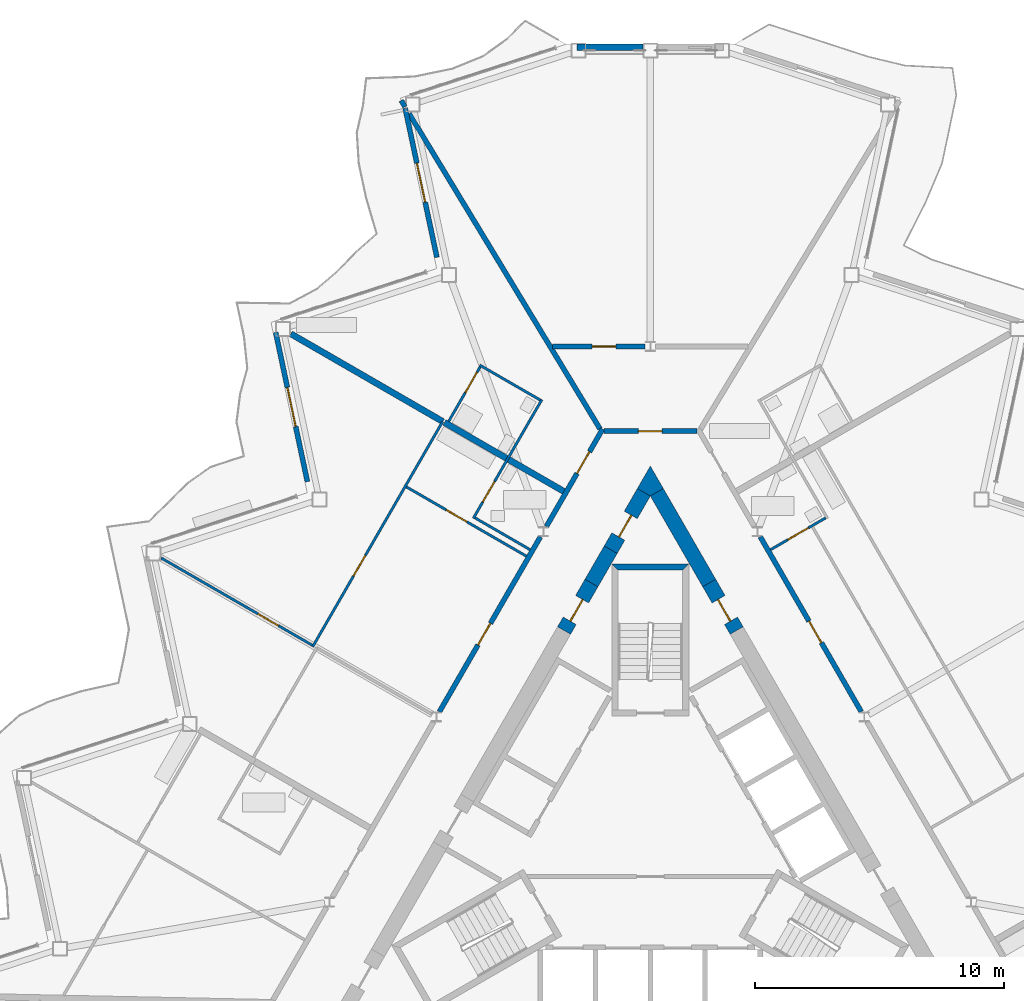
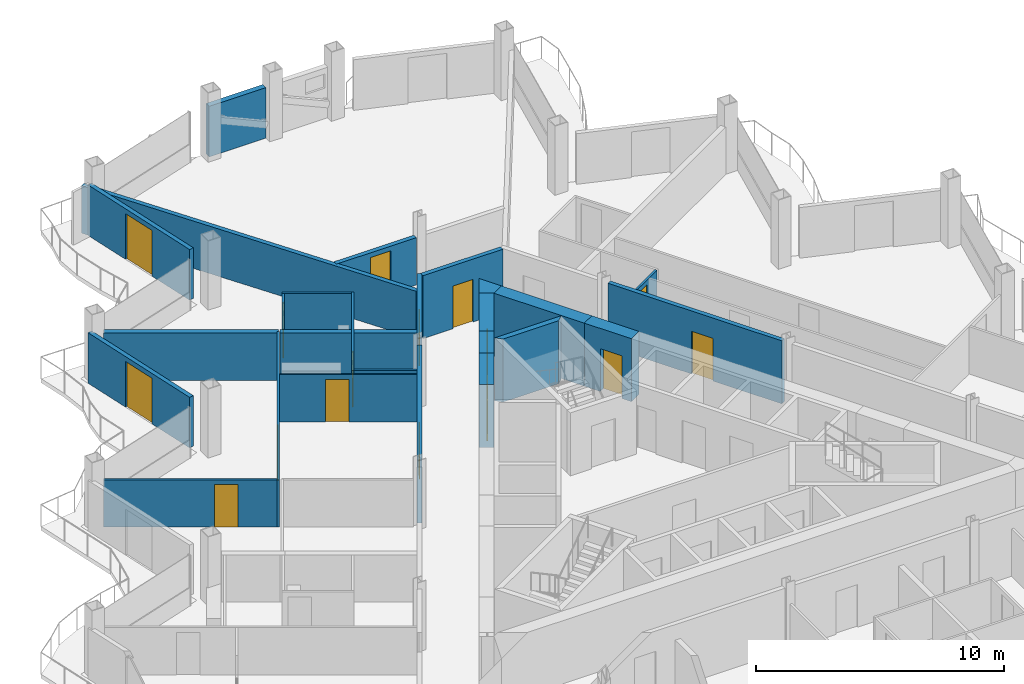
# One storey, part 18 of 27: 27 walls, 16 doors, 16 openings.
"""IFC4 building model written with IfcOpenShell, lengths in metres."""

from ifc_helpers import new_model, si_unit, direction, frame, frame_2d, origin, place, context, subcontext, project, spatial, polyline, rectangle, outline, extrude, material, layer, layer_set, type_object, element, fill, save


model = new_model("IFC4")

# Units and contexts
model_context = context("Model", 3, precision=1e-05, world=origin(), true_north=direction((0.0, 1.0)))
body_context = subcontext(model_context, "Body", "Model", "MODEL_VIEW")
ifc_project = project(units=[si_unit("LENGTHUNIT", "METRE"), si_unit("AREAUNIT", "SQUARE_METRE"), si_unit("VOLUMEUNIT", "CUBIC_METRE"), si_unit("PLANEANGLEUNIT", "RADIAN"), si_unit("MASSUNIT", "GRAM", prefix="KILO")], contexts=[model_context])

# Site, building, storey
site_placement = place(None, origin())
site = spatial("IfcSite", under=ifc_project, at=site_placement, CompositionType="ELEMENT")
building_placement = place(site_placement, origin())
building = spatial("IfcBuilding", under=site, at=building_placement, Name="Cormorant Prow Tower", CompositionType="ELEMENT")
storey_placement = place(building_placement, frame((0.0, 0.0, 315.39990234375)))
storey = spatial("IfcBuildingStorey", under=building, at=storey_placement, Name="L69", CompositionType="ELEMENT", Elevation=315.39990234375)

# Walls
ifc_material_1 = material(Name="Concrete 8000 psi", Category="concrete")
ifc_layer_1 = layer(ifc_material_1, 0.60009765625)
ifc_layer_set_1 = layer_set([ifc_layer_1], Name="Concrete 8000 psi")
wall_type_1 = type_object("IfcWallType", Name="Core shear wall 600", PredefinedType="SHEAR", material=ifc_layer_set_1)
wall_1_placement = place(storey_placement, frame((2.36083984375, 10.322021484375, 0.0), z_axis=(0.0, 0.0, 1.0), x_axis=(-0.500000735859, 0.866024978935, 0.0)))
element("IfcWall", 1, at=wall_1_placement, inside=storey, type_object=wall_type_1, Name="Core wall", PredefinedType="SHEAR", context=body_context, shape_type="SweptSolid", body=[
    extrude(rectangle(XDim=4.2021484375, YDim=0.60009765625, at=frame_2d((2.10107421875, 0.0))), origin(), (0.0, 0.0, 1.0), 3.10009765625),
])
wall_2_placement = place(storey_placement, frame((-1.589599609375, 11.65771484375, 0.0), z_axis=(0.0, 0.0, 1.0), x_axis=(-0.500037594623, -0.866003697431, 0.0)))
element("IfcWall", 2, at=wall_2_placement, inside=storey, type_object=wall_type_1, Name="Core wall", PredefinedType="SHEAR", context=body_context, shape_type="SweptSolid", body=[
    extrude(rectangle(XDim=1.54248046875, YDim=0.60009765625, at=frame_2d((0.771240234375, 0.0))), origin(), (0.0, 0.0, 1.0), 3.10009765625),
])
wall_3_placement = place(storey_placement, origin())
element("IfcWall", 3, at=wall_3_placement, inside=storey, type_object=wall_type_1, Name="Core wall corner", PredefinedType="SHEAR", context=body_context, shape_type="SweptSolid", body=[
    extrude(outline(polyline([(0.0, 13.81103515625), (-0.51953125, 14.111083984375), (0.0, 15.010986328125), (0.51953125, 14.111083984375), (0.0, 13.81103515625)])), origin(), (0.0, 0.0, 1.0), 3.10009765625),
])

# Wall, opening, door
wall_4_placement = place(storey_placement, frame((3.460693359375, 8.416748046875, 0.0), z_axis=(0.0, 0.0, 1.0), x_axis=(-0.499946605688, 0.86605622881, 0.0)))
wall_4 = element("IfcWall", 4, at=wall_4_placement, inside=storey, type_object=wall_type_1, Name="Core wall door panel", PredefinedType="SHEAR", context=body_context, shape_type="SweptSolid", body=[
    extrude(rectangle(XDim=2.199951171875, YDim=0.60009765625, at=frame_2d((1.10009765625, 0.0))), origin(), (0.0, 0.0, 1.0), 3.10009765625),
])
opening_1_placement = place(wall_4_placement, frame((0.449951171875, 0.0, 0.0)))
opening_1 = element("IfcOpeningElement", 5, at=opening_1_placement, cuts=wall_4, Name="Opening L69-C17", PredefinedType="OPENING", context=body_context, shape_type="SweptSolid", body=[
    extrude(rectangle(XDim=1.0, YDim=2.10009765625, at=frame_2d((0.5, 1.050048828125))), frame((0.0, 0.31005859375, 0.0), z_axis=(0.0, -1.0, 0.0), x_axis=(1.0, 0.0, 0.0)), (0.0, 0.0, 1.0), 0.6201171875),
])
ifc_material_2 = material(Name="Painted steel", Category="steel")
door_type_1 = type_object("IfcDoorType", Name="Service door 1000x2100", OperationType="NOTDEFINED", PredefinedType="DOOR", material=ifc_material_2)
door_1_placement = place(opening_1_placement, origin())
door_1 = element("IfcDoor", 6, at=door_1_placement, inside=storey, type_object=door_type_1, Name="Core door, Mechanical riser room", OperationType="SINGLE_SWING_RIGHT", OverallHeight=2.10009765625, OverallWidth=1.0, PredefinedType="DOOR", context=body_context, shape_type="SweptSolid", body=[
    extrude(rectangle(XDim=1.0, YDim=2.10009765625, at=frame_2d((0.5, 1.050048828125))), frame((0.0, 0.05517578125, 0.0), z_axis=(0.0, -1.0, 0.0), x_axis=(1.0, 0.0, 0.0)), (0.0, 0.0, 1.0), 0.050048828125),
])
fill(opening_1, door_1)

wall_5_placement = place(storey_placement, frame((-2.36083984375, 10.322021484375, 0.0), z_axis=(0.0, 0.0, 1.0), x_axis=(-0.499946605688, -0.86605622881, 0.0)))
wall_5 = element("IfcWall", 7, at=wall_5_placement, inside=storey, type_object=wall_type_1, Name="Core wall door panel", PredefinedType="SHEAR", context=body_context, shape_type="SweptSolid", body=[
    extrude(rectangle(XDim=2.199951171875, YDim=0.60009765625, at=frame_2d((1.10009765625, 0.0))), origin(), (0.0, 0.0, 1.0), 3.10009765625),
])
opening_2_placement = place(wall_5_placement, frame((0.75, 0.0, 0.0)))
opening_2 = element("IfcOpeningElement", 8, at=opening_2_placement, cuts=wall_5, Name="Opening L69-C18", PredefinedType="OPENING", context=body_context, shape_type="SweptSolid", body=[
    extrude(rectangle(XDim=1.0, YDim=2.10009765625, at=frame_2d((0.5, 1.050048828125))), frame((0.0, 0.31005859375, 0.0), z_axis=(0.0, -1.0, 0.0), x_axis=(1.0, 0.0, 0.0)), (0.0, 0.0, 1.0), 0.6201171875),
])
door_2_placement = place(opening_2_placement, origin())
door_2 = element("IfcDoor", 9, at=door_2_placement, inside=storey, type_object=door_type_1, Name="Core door, Mechanical riser room", OperationType="SINGLE_SWING_LEFT", OverallHeight=2.10009765625, OverallWidth=1.0, PredefinedType="DOOR", context=body_context, shape_type="SweptSolid", body=[
    extrude(rectangle(XDim=1.0, YDim=2.10009765625, at=frame_2d((0.5, 1.050048828125))), frame((0.0, 0.05517578125, 0.0), z_axis=(0.0, -1.0, 0.0), x_axis=(1.0, 0.0, 0.0)), (0.0, 0.0, 1.0), 0.050048828125),
])
fill(opening_2, door_2)

wall_6_placement = place(storey_placement, frame((-0.259765625, 13.961181640625, 0.0), z_axis=(0.0, 0.0, 1.0), x_axis=(-0.49997936161, -0.866037319036, 0.0)))
wall_6 = element("IfcWall", 10, at=wall_6_placement, inside=storey, type_object=wall_type_1, Name="Core wall door panel", PredefinedType="SHEAR", context=body_context, shape_type="SweptSolid", body=[
    extrude(rectangle(XDim=2.65966796875, YDim=0.60009765625, at=frame_2d((1.329833984375, 0.0))), origin(), (0.0, 0.0, 1.0), 3.10009765625),
])
opening_3_placement = place(wall_6_placement, frame((1.050048828125, 0.0, 0.0)))
opening_3 = element("IfcOpeningElement", 11, at=opening_3_placement, cuts=wall_6, Name="Opening L69-C19", PredefinedType="OPENING", context=body_context, shape_type="SweptSolid", body=[
    extrude(rectangle(XDim=1.0, YDim=2.10009765625, at=frame_2d((0.5, 1.050048828125))), frame((0.0, 0.31005859375, 0.0), z_axis=(0.0, -1.0, 0.0), x_axis=(1.0, 0.0, 0.0)), (0.0, 0.0, 1.0), 0.6201171875),
])
door_3_placement = place(opening_3_placement, origin())
door_3 = element("IfcDoor", 12, at=door_3_placement, inside=storey, type_object=door_type_1, Name="Core door, Mechanical riser room", OperationType="SINGLE_SWING_LEFT", OverallHeight=2.10009765625, OverallWidth=1.0, PredefinedType="DOOR", context=body_context, shape_type="SweptSolid", body=[
    extrude(rectangle(XDim=1.0, YDim=2.10009765625, at=frame_2d((0.5, 1.050048828125))), frame((0.0, 0.05517578125, 0.0), z_axis=(0.0, -1.0, 0.0), x_axis=(1.0, 0.0, 0.0)), (0.0, 0.0, 1.0), 0.050048828125),
])
fill(opening_3, door_3)

ifc_material_3 = material(Name="Gypsum board corridor wall")
ifc_layer_2 = layer(ifc_material_3, 0.199951171875)
ifc_layer_set_2 = layer_set([ifc_layer_2], Name="Gypsum board corridor wall")
wall_type_2 = type_object("IfcWallType", Name="Corridor wall 200", PredefinedType="PARTITIONING", material=ifc_layer_set_2)
wall_7_placement = place(storey_placement, frame((-8.45849609375, 5.160400390625, 0.0), z_axis=(0.0, 0.0, 1.0), x_axis=(0.499984266882, 0.866034487114, 0.0)))
wall_7 = element("IfcWall", 13, at=wall_7_placement, inside=storey, type_object=wall_type_2, Name="Corridor wall", PredefinedType="PARTITIONING", context=body_context, shape_type="SweptSolid", body=[
    extrude(rectangle(XDim=8.098876953125, YDim=0.199951171875, at=frame_2d((4.04931640625, 0.0))), origin(), (0.0, 0.0, 1.0), 3.10009765625),
])
opening_4_placement = place(wall_7_placement, frame((3.092529296875, 0.0, 0.0)))
opening_4 = element("IfcOpeningElement", 14, at=opening_4_placement, cuts=wall_7, Name="Opening L69-F37", PredefinedType="OPENING", context=body_context, shape_type="SweptSolid", body=[
    extrude(rectangle(XDim=1.0, YDim=2.10009765625, at=frame_2d((0.5, 1.050048828125))), frame((0.0, 0.10986328125, 0.0), z_axis=(0.0, -1.0, 0.0), x_axis=(1.0, 0.0, 0.0)), (0.0, 0.0, 1.0), 0.219970703125),
])
ifc_material_4 = material(Name="Timber door leaf", Category="wood")
door_type_2 = type_object("IfcDoorType", Name="Flat or room entrance door 1000x2100", OperationType="NOTDEFINED", PredefinedType="DOOR", material=ifc_material_4)
door_4_placement = place(opening_4_placement, origin())
door_4 = element("IfcDoor", 15, at=door_4_placement, inside=storey, type_object=door_type_2, Name="Living room door", OperationType="SINGLE_SWING_LEFT", OverallHeight=2.10009765625, OverallWidth=1.0, PredefinedType="DOOR", context=body_context, shape_type="SweptSolid", body=[
    extrude(rectangle(XDim=1.0, YDim=2.10009765625, at=frame_2d((0.5, 1.050048828125))), frame((0.0, 0.02490234375, 0.0), z_axis=(0.0, -1.0, 0.0), x_axis=(1.0, 0.0, 0.0)), (0.0, 0.0, 1.0), 0.050048828125),
])
fill(opening_4, door_4)

wall_8_placement = place(storey_placement, frame((4.4091796875, 12.17431640625, 0.0), z_axis=(0.0, 0.0, 1.0), x_axis=(0.499984266882, -0.866034487114, 0.0)))
wall_8 = element("IfcWall", 16, at=wall_8_placement, inside=storey, type_object=wall_type_2, Name="Corridor wall", PredefinedType="PARTITIONING", context=body_context, shape_type="SweptSolid", body=[
    extrude(rectangle(XDim=8.098876953125, YDim=0.199951171875, at=frame_2d((4.04931640625, 0.0))), origin(), (0.0, 0.0, 1.0), 3.10009765625),
])
opening_5_placement = place(wall_8_placement, frame((3.90478515625, 0.0, 0.0)))
opening_5 = element("IfcOpeningElement", 17, at=opening_5_placement, cuts=wall_8, Name="Opening L69-F25", PredefinedType="OPENING", context=body_context, shape_type="SweptSolid", body=[
    extrude(rectangle(XDim=1.0, YDim=2.10009765625, at=frame_2d((0.5, 1.050048828125))), frame((0.0, 0.10986328125, 0.0), z_axis=(0.0, -1.0, 0.0), x_axis=(1.0, 0.0, 0.0)), (0.0, 0.0, 1.0), 0.219970703125),
])
door_5_placement = place(opening_5_placement, origin())
door_5 = element("IfcDoor", 18, at=door_5_placement, inside=storey, type_object=door_type_2, Name="Living room door", OperationType="SINGLE_SWING_RIGHT", OverallHeight=2.10009765625, OverallWidth=1.0, PredefinedType="DOOR", context=body_context, shape_type="SweptSolid", body=[
    extrude(rectangle(XDim=1.0, YDim=2.10009765625, at=frame_2d((0.5, 1.050048828125))), frame((0.0, 0.02490234375, 0.0), z_axis=(0.0, -1.0, 0.0), x_axis=(1.0, 0.0, 0.0)), (0.0, 0.0, 1.0), 0.050048828125),
])
fill(opening_5, door_5)

wall_9_placement = place(storey_placement, frame((-4.169189453125, 12.589599609375, 0.0), z_axis=(0.0, 0.0, 1.0), x_axis=(0.499950370306, 0.866054055606, 0.0)))
wall_9 = element("IfcWall", 19, at=wall_9_placement, inside=storey, type_object=wall_type_2, Name="Corridor wall", PredefinedType="PARTITIONING", context=body_context, shape_type="SweptSolid", body=[
    extrude(rectangle(XDim=4.5126953125, YDim=0.199951171875, at=frame_2d((2.25634765625, 0.0))), origin(), (0.0, 0.0, 1.0), 3.10009765625),
])
opening_6_placement = place(wall_9_placement, frame((2.459228515625, 0.0, 0.0)))
opening_6 = element("IfcOpeningElement", 20, at=opening_6_placement, cuts=wall_9, Name="Opening L69-F35", PredefinedType="OPENING", context=body_context, shape_type="SweptSolid", body=[
    extrude(rectangle(XDim=1.0, YDim=2.10009765625, at=frame_2d((0.5, 1.050048828125))), frame((0.0, 0.10986328125, 0.0), z_axis=(0.0, -1.0, 0.0), x_axis=(1.0, 0.0, 0.0)), (0.0, 0.0, 1.0), 0.219970703125),
])
door_6_placement = place(opening_6_placement, origin())
door_6 = element("IfcDoor", 21, at=door_6_placement, inside=storey, type_object=door_type_2, Name="Studio living, kitchen and sleeping room door", OperationType="SINGLE_SWING_LEFT", OverallHeight=2.10009765625, OverallWidth=1.0, PredefinedType="DOOR", context=body_context, shape_type="SweptSolid", body=[
    extrude(rectangle(XDim=1.0, YDim=2.10009765625, at=frame_2d((0.5, 1.050048828125))), frame((0.0, 0.02490234375, 0.0), z_axis=(0.0, -1.0, 0.0), x_axis=(1.0, 0.0, 0.0)), (0.0, 0.0, 1.0), 0.050048828125),
])
fill(opening_6, door_6)

wall_10_placement = place(storey_placement, frame((-1.863037109375, 16.4111328125, 0.0), z_axis=(0.0, 0.0, 1.0), x_axis=(1.0, 0.0, 0.0)))
wall_10 = element("IfcWall", 22, at=wall_10_placement, inside=storey, type_object=wall_type_2, Name="Corridor wall", PredefinedType="PARTITIONING", context=body_context, shape_type="SweptSolid", body=[
    extrude(rectangle(XDim=3.72607421875, YDim=0.199951171875, at=frame_2d((1.863037109375, 0.0))), origin(), (0.0, 0.0, 1.0), 3.10009765625),
])
opening_7_placement = place(wall_10_placement, frame((1.387939453125, 0.0, 0.0)))
opening_7 = element("IfcOpeningElement", 23, at=opening_7_placement, cuts=wall_10, Name="Opening L69-F33", PredefinedType="OPENING", context=body_context, shape_type="SweptSolid", body=[
    extrude(rectangle(XDim=0.949951171875, YDim=2.10009765625, at=frame_2d((0.47509765625, 1.050048828125))), frame((0.0, 0.10986328125, 0.0), z_axis=(0.0, -1.0, 0.0), x_axis=(1.0, 0.0, 0.0)), (0.0, 0.0, 1.0), 0.219970703125),
])
ifc_material_5 = material(Name="Timber door leaf", Category="wood")
door_type_3 = type_object("IfcDoorType", Name="Store door 950x2100", OperationType="NOTDEFINED", PredefinedType="DOOR", material=ifc_material_5)
door_7_placement = place(opening_7_placement, origin())
door_7 = element("IfcDoor", 24, at=door_7_placement, inside=storey, type_object=door_type_3, Name="Bicycle store door", OperationType="SINGLE_SWING_RIGHT", OverallHeight=2.10009765625, OverallWidth=0.949951171875, PredefinedType="DOOR", context=body_context, shape_type="SweptSolid", body=[
    extrude(rectangle(XDim=0.949951171875, YDim=2.10009765625, at=frame_2d((0.47509765625, 1.050048828125))), frame((0.0, 0.02490234375, 0.0), z_axis=(0.0, -1.0, 0.0), x_axis=(1.0, 0.0, 0.0)), (0.0, 0.0, 1.0), 0.050048828125),
])
fill(opening_7, door_7)

# Wall
ifc_material_6 = material(Name="Gypsum board demising wall")
ifc_layer_3 = layer(ifc_material_6, 0.199951171875)
ifc_layer_set_3 = layer_set([ifc_layer_3], Name="Gypsum board demising wall")
wall_type_3 = type_object("IfcWallType", Name="Demising wall 200", PredefinedType="PARTITIONING", material=ifc_layer_set_3)
wall_11_placement = place(storey_placement, frame((-9.66943359375, 29.144287109375, 0.0), z_axis=(0.0, 0.0, 1.0), x_axis=(0.517770554559, -0.85551952218, 0.0)))
element("IfcWall", 25, at=wall_11_placement, inside=storey, type_object=wall_type_3, Name="Demising wall", PredefinedType="PARTITIONING", context=body_context, shape_type="SweptSolid", body=[
    extrude(rectangle(XDim=14.78369140625, YDim=0.199951171875, at=frame_2d((7.391845703125, 0.0))), origin(), (0.0, 0.0, 1.0), 2.330078125),
])

# Wall, opening, door
wall_12_placement = place(storey_placement, frame((-3.926025390625, 19.81103515625, 0.0), z_axis=(0.0, 0.0, 1.0), x_axis=(1.0, 0.0, 0.0)))
wall_12 = element("IfcWall", 26, at=wall_12_placement, inside=storey, type_object=wall_type_3, Name="Demising wall", PredefinedType="PARTITIONING", context=body_context, shape_type="SweptSolid", body=[
    extrude(rectangle(XDim=3.71826171875, YDim=0.199951171875, at=frame_2d((1.859130859375, 0.0))), origin(), (0.0, 0.0, 1.0), 2.330078125),
])
opening_8_placement = place(wall_12_placement, frame((1.59033203125, 0.0, 0.0)))
opening_8 = element("IfcOpeningElement", 27, at=opening_8_placement, cuts=wall_12, Name="Opening L69-F34", PredefinedType="OPENING", context=body_context, shape_type="SweptSolid", body=[
    extrude(rectangle(XDim=0.949951171875, YDim=2.10009765625, at=frame_2d((0.47509765625, 1.050048828125))), frame((0.0, 0.10986328125, 0.0), z_axis=(0.0, -1.0, 0.0), x_axis=(1.0, 0.0, 0.0)), (0.0, 0.0, 1.0), 0.219970703125),
])
door_8_placement = place(opening_8_placement, origin())
door_8 = element("IfcDoor", 28, at=door_8_placement, inside=storey, type_object=door_type_3, Name="Refuse room door", OperationType="SINGLE_SWING_LEFT", OverallHeight=2.10009765625, OverallWidth=0.949951171875, PredefinedType="DOOR", context=body_context, shape_type="SweptSolid", body=[
    extrude(rectangle(XDim=0.949951171875, YDim=2.10009765625, at=frame_2d((0.47509765625, 1.050048828125))), frame((0.0, 0.02490234375, 0.0), z_axis=(0.0, -1.0, 0.0), x_axis=(1.0, 0.0, 0.0)), (0.0, 0.0, 1.0), 0.050048828125),
])
fill(opening_8, door_8)

# Wall
wall_13_placement = place(storey_placement, frame((-9.98876953125, 29.671630859375, 0.0), z_axis=(0.0, 0.0, 1.0), x_axis=(0.517931387916, -0.855422163268, 0.0)))
element("IfcWall", 29, at=wall_13_placement, inside=storey, type_object=wall_type_3, Name="Demising wall", PredefinedType="PARTITIONING", context=body_context, shape_type="SweptSolid", body=[
    extrude(rectangle(XDim=0.292236328125, YDim=0.199951171875, at=frame_2d((0.14599609375, 0.0))), origin(), (0.0, 0.0, 1.0), 2.330078125),
])

# Wall, opening, door
ifc_material_7 = material(Name="Gypsum board partition")
ifc_layer_4 = layer(ifc_material_7, 0.10009765625)
ifc_layer_set_4 = layer_set([ifc_layer_4], Name="Gypsum board partition")
wall_type_4 = type_object("IfcWallType", Name="Internal partition 100", PredefinedType="PARTITIONING", material=ifc_layer_set_4)
wall_14_placement = place(storey_placement, frame((-13.544189453125, 7.761962890625, 0.0), z_axis=(0.0, 0.0, 1.0), x_axis=(0.499993819111, 0.866028972293, 0.0)))
wall_14 = element("IfcWall", 30, at=wall_14_placement, inside=storey, type_object=wall_type_4, Name="Internal partition", PredefinedType="PARTITIONING", context=body_context, shape_type="SweptSolid", body=[
    extrude(rectangle(XDim=10.435791015625, YDim=0.10009765625, at=frame_2d((5.2177734375, 0.0))), origin(), (0.0, 0.0, 1.0), 2.330078125),
])
opening_9_placement = place(wall_14_placement, frame((3.27880859375, 0.0, 0.0)))
opening_9 = element("IfcOpeningElement", 31, at=opening_9_placement, cuts=wall_14, Name="Opening L69-F39", PredefinedType="OPENING", context=body_context, shape_type="SweptSolid", body=[
    extrude(rectangle(XDim=0.949951171875, YDim=2.10009765625, at=frame_2d((0.47509765625, 1.050048828125))), frame((0.0, 0.06005859375, 0.0), z_axis=(0.0, -1.0, 0.0), x_axis=(1.0, 0.0, 0.0)), (0.0, 0.0, 1.0), 0.1201171875),
])
ifc_material_8 = material(Name="Timber door leaf", Category="wood")
door_type_4 = type_object("IfcDoorType", Name="Bathroom door 950x2100", OperationType="NOTDEFINED", PredefinedType="DOOR", material=ifc_material_8)
door_9_placement = place(opening_9_placement, origin())
door_9 = element("IfcDoor", 32, at=door_9_placement, inside=storey, type_object=door_type_4, Name="Living room door", OperationType="SINGLE_SWING_RIGHT", OverallHeight=2.10009765625, OverallWidth=0.949951171875, PredefinedType="DOOR", context=body_context, shape_type="SweptSolid", body=[
    extrude(rectangle(XDim=0.949951171875, YDim=2.10009765625, at=frame_2d((0.47509765625, 1.050048828125))), frame((0.0, 0.02490234375, 0.0), z_axis=(0.0, -1.0, 0.0), x_axis=(1.0, 0.0, 0.0)), (0.0, 0.0, 1.0), 0.050048828125),
])
fill(opening_9, door_9)

wall_15_placement = place(storey_placement, frame((-19.615478515625, 11.3251953125, 0.0), z_axis=(0.0, 0.0, 1.0), x_axis=(0.866013987544, -0.500019772988, 0.0)))
wall_15 = element("IfcWall", 33, at=wall_15_placement, inside=storey, type_object=wall_type_4, Name="Internal partition", PredefinedType="PARTITIONING", context=body_context, shape_type="SweptSolid", body=[
    extrude(rectangle(XDim=6.989501953125, YDim=0.10009765625, at=frame_2d((3.49462890625, 0.0))), origin(), (0.0, 0.0, 1.0), 2.330078125),
])
opening_10_placement = place(wall_15_placement, frame((4.480224609375, 0.0, 0.0)))
opening_10 = element("IfcOpeningElement", 34, at=opening_10_placement, cuts=wall_15, Name="Opening L69-F40", PredefinedType="OPENING", context=body_context, shape_type="SweptSolid", body=[
    extrude(rectangle(XDim=0.949951171875, YDim=2.10009765625, at=frame_2d((0.47509765625, 1.050048828125))), frame((0.0, 0.06005859375, 0.0), z_axis=(0.0, -1.0, 0.0), x_axis=(1.0, 0.0, 0.0)), (0.0, 0.0, 1.0), 0.1201171875),
])
door_10_placement = place(opening_10_placement, origin())
door_10 = element("IfcDoor", 35, at=door_10_placement, inside=storey, type_object=door_type_4, Name="Dining room door", OperationType="SINGLE_SWING_LEFT", OverallHeight=2.10009765625, OverallWidth=0.949951171875, PredefinedType="DOOR", context=body_context, shape_type="SweptSolid", body=[
    extrude(rectangle(XDim=0.949951171875, YDim=2.10009765625, at=frame_2d((0.47509765625, 1.050048828125))), frame((0.0, 0.02490234375, 0.0), z_axis=(0.0, -1.0, 0.0), x_axis=(1.0, 0.0, 0.0)), (0.0, 0.0, 1.0), 0.050048828125),
])
fill(opening_10, door_10)

wall_16_placement = place(storey_placement, frame((-9.783203125, 14.176513671875, 0.0), z_axis=(0.0, 0.0, 1.0), x_axis=(0.866030435321, -0.499991285022, 0.0)))
wall_16 = element("IfcWall", 36, at=wall_16_placement, inside=storey, type_object=wall_type_4, Name="Internal partition", PredefinedType="PARTITIONING", context=body_context, shape_type="SweptSolid", body=[
    extrude(rectangle(XDim=5.55517578125, YDim=0.10009765625, at=frame_2d((2.777587890625, 0.0))), origin(), (0.0, 0.0, 1.0), 2.330078125),
])
opening_11_placement = place(wall_16_placement, frame((1.85205078125, 0.0, 0.0)))
opening_11 = element("IfcOpeningElement", 37, at=opening_11_placement, cuts=wall_16, Name="Opening L69-F38", PredefinedType="OPENING", context=body_context, shape_type="SweptSolid", body=[
    extrude(rectangle(XDim=0.949951171875, YDim=2.10009765625, at=frame_2d((0.47509765625, 1.050048828125))), frame((0.0, 0.06005859375, 0.0), z_axis=(0.0, -1.0, 0.0), x_axis=(1.0, 0.0, 0.0)), (0.0, 0.0, 1.0), 0.1201171875),
])
door_11_placement = place(opening_11_placement, origin())
door_11 = element("IfcDoor", 38, at=door_11_placement, inside=storey, type_object=door_type_4, Name="Living room door", OperationType="SINGLE_SWING_RIGHT", OverallHeight=2.10009765625, OverallWidth=0.949951171875, PredefinedType="DOOR", context=body_context, shape_type="SweptSolid", body=[
    extrude(rectangle(XDim=0.949951171875, YDim=2.10009765625, at=frame_2d((0.47509765625, 1.050048828125))), frame((0.0, 0.02490234375, 0.0), z_axis=(0.0, -1.0, 0.0), x_axis=(1.0, 0.0, 0.0)), (0.0, 0.0, 1.0), 0.050048828125),
])
fill(opening_11, door_11)

wall_17_placement = place(storey_placement, frame((-7.098876953125, 12.915283203125, 0.0), z_axis=(0.0, 0.0, 1.0), x_axis=(0.49997732567, 0.866038494419, 0.0)))
wall_17 = element("IfcWall", 39, at=wall_17_placement, inside=storey, type_object=wall_type_4, Name="Internal partition", PredefinedType="PARTITIONING", context=body_context, shape_type="SweptSolid", body=[
    extrude(rectangle(XDim=5.500244140625, YDim=0.10009765625, at=frame_2d((2.75, 0.0))), origin(), (0.0, 0.0, 1.0), 2.330078125),
])
opening_12_placement = place(wall_17_placement, frame((0.75634765625, 0.0, 0.0)))
opening_12 = element("IfcOpeningElement", 40, at=opening_12_placement, cuts=wall_17, Name="Opening L69-F42", PredefinedType="OPENING", context=body_context, shape_type="SweptSolid", body=[
    extrude(rectangle(XDim=0.949951171875, YDim=2.10009765625, at=frame_2d((0.47509765625, 1.050048828125))), frame((0.0, 0.06005859375, 0.0), z_axis=(0.0, -1.0, 0.0), x_axis=(1.0, 0.0, 0.0)), (0.0, 0.0, 1.0), 0.1201171875),
])
door_12_placement = place(opening_12_placement, origin())
door_12 = element("IfcDoor", 41, at=door_12_placement, inside=storey, type_object=door_type_4, Name="Kitchen door", OperationType="SINGLE_SWING_LEFT", OverallHeight=2.10009765625, OverallWidth=0.949951171875, PredefinedType="DOOR", context=body_context, shape_type="SweptSolid", body=[
    extrude(rectangle(XDim=0.949951171875, YDim=2.10009765625, at=frame_2d((0.47509765625, 1.050048828125))), frame((0.0, 0.02490234375, 0.0), z_axis=(0.0, -1.0, 0.0), x_axis=(1.0, 0.0, 0.0)), (0.0, 0.0, 1.0), 0.050048828125),
])
fill(opening_12, door_12)

# Wall
wall_18_placement = place(storey_placement, frame((-6.842041015625, 19.060302734375, 0.0), z_axis=(0.0, 0.0, 1.0), x_axis=(0.866034573852, -0.49998411664, 0.0)))
element("IfcWall", 42, at=wall_18_placement, inside=storey, type_object=wall_type_4, Name="Internal partition", PredefinedType="PARTITIONING", context=body_context, shape_type="SweptSolid", body=[
    extrude(rectangle(XDim=2.7998046875, YDim=0.10009765625, at=frame_2d((1.39990234375, 0.0))), origin(), (0.0, 0.0, 1.0), 2.330078125),
])

# Wall, opening, door
wall_19_placement = place(storey_placement, frame((4.822265625, 11.65869140625, 0.0), z_axis=(0.0, 0.0, 1.0), x_axis=(0.866030925526, 0.499990435942, 0.0)))
wall_19 = element("IfcWall", 43, at=wall_19_placement, inside=storey, type_object=wall_type_4, Name="Internal partition", PredefinedType="PARTITIONING", context=body_context, shape_type="SweptSolid", body=[
    extrude(rectangle(XDim=2.5498046875, YDim=0.10009765625, at=frame_2d((1.27490234375, 0.0))), origin(), (0.0, 0.0, 1.0), 2.330078125),
])
opening_13_placement = place(wall_19_placement, frame((0.800048828125, 0.0, 0.0)))
opening_13 = element("IfcOpeningElement", 44, at=opening_13_placement, cuts=wall_19, Name="Opening L69-F26", PredefinedType="OPENING", context=body_context, shape_type="SweptSolid", body=[
    extrude(rectangle(XDim=0.949951171875, YDim=2.10009765625, at=frame_2d((0.47509765625, 1.050048828125))), frame((0.0, 0.06005859375, 0.0), z_axis=(0.0, -1.0, 0.0), x_axis=(1.0, 0.0, 0.0)), (0.0, 0.0, 1.0), 0.1201171875),
])
door_13_placement = place(opening_13_placement, origin())
door_13 = element("IfcDoor", 45, at=door_13_placement, inside=storey, type_object=door_type_4, Name="Living room door", OperationType="SINGLE_SWING_RIGHT", OverallHeight=2.10009765625, OverallWidth=0.949951171875, PredefinedType="DOOR", context=body_context, shape_type="SweptSolid", body=[
    extrude(rectangle(XDim=0.949951171875, YDim=2.10009765625, at=frame_2d((0.47509765625, 1.050048828125))), frame((0.0, 0.02490234375, 0.0), z_axis=(0.0, -1.0, 0.0), x_axis=(1.0, 0.0, 0.0)), (0.0, 0.0, 1.0), 0.050048828125),
])
fill(opening_13, door_13)

# Wall
wall_20_placement = place(storey_placement, frame((-7.030517578125, 12.93359375, 0.0), z_axis=(0.0, 0.0, 1.0), x_axis=(0.866030925526, -0.499990435942, 0.0)))
element("IfcWall", 46, at=wall_20_placement, inside=storey, type_object=wall_type_4, Name="Internal partition", PredefinedType="PARTITIONING", context=body_context, shape_type="SweptSolid", body=[
    extrude(rectangle(XDim=2.5498046875, YDim=0.10009765625, at=frame_2d((1.27490234375, 0.0))), origin(), (0.0, 0.0, 1.0), 2.330078125),
])

# Wall, opening, door
wall_21_placement = place(storey_placement, frame((-8.086181640625, 16.805419921875, 0.0), z_axis=(0.0, 0.0, 1.0), x_axis=(0.50001820224, 0.866014894461, 0.0)))
wall_21 = element("IfcWall", 47, at=wall_21_placement, inside=storey, type_object=wall_type_4, Name="Internal partition", PredefinedType="PARTITIONING", context=body_context, shape_type="SweptSolid", body=[
    extrude(rectangle(XDim=2.52490234375, YDim=0.10009765625, at=frame_2d((1.262451171875, 0.0))), origin(), (0.0, 0.0, 1.0), 2.330078125),
])
opening_14_placement = place(wall_21_placement, frame((1.324951171875, 0.0, 0.0)))
opening_14 = element("IfcOpeningElement", 48, at=opening_14_placement, cuts=wall_21, Name="Opening L69-F36", PredefinedType="OPENING", context=body_context, shape_type="SweptSolid", body=[
    extrude(rectangle(XDim=0.949951171875, YDim=2.10009765625, at=frame_2d((0.47509765625, 1.050048828125))), frame((0.0, 0.06005859375, 0.0), z_axis=(0.0, -1.0, 0.0), x_axis=(1.0, 0.0, 0.0)), (0.0, 0.0, 1.0), 0.1201171875),
])
door_14_placement = place(opening_14_placement, origin())
door_14 = element("IfcDoor", 49, at=door_14_placement, inside=storey, type_object=door_type_4, Name="Studio living, kitchen and sleeping room door", OperationType="SINGLE_SWING_RIGHT", OverallHeight=2.10009765625, OverallWidth=0.949951171875, PredefinedType="DOOR", context=body_context, shape_type="SweptSolid", body=[
    extrude(rectangle(XDim=0.949951171875, YDim=2.10009765625, at=frame_2d((0.47509765625, 1.050048828125))), frame((0.0, 0.02490234375, 0.0), z_axis=(0.0, -1.0, 0.0), x_axis=(1.0, 0.0, 0.0)), (0.0, 0.0, 1.0), 0.050048828125),
])
fill(opening_14, door_14)

# Walls
ifc_material_9 = material(Name="Concrete 8000 psi", Category="concrete")
ifc_layer_5 = layer(ifc_material_9, 0.25)
ifc_layer_set_5 = layer_set([ifc_layer_5], Name="Concrete 8000 psi")
wall_type_5 = type_object("IfcWallType", Name="Stair wall 250", PredefinedType="SHEAR", material=ifc_layer_set_5)
wall_22_placement = place(storey_placement, origin())
element("IfcWall", 50, at=wall_22_placement, inside=storey, type_object=wall_type_5, Name="Stair ST3 enclosure wall (end)", PredefinedType="SHEAR", context=body_context, shape_type="SweptSolid", body=[
    extrude(outline(polyline([(1.5439453125, 11.0869140625), (-1.5439453125, 11.0869140625), (-1.2939453125, 10.8369140625), (1.2939453125, 10.8369140625), (1.5439453125, 11.0869140625)])), origin(), (0.0, 0.0, 1.0), 3.10009765625),
])
ifc_material_10 = material(Name="Acoustic gypsum party wall")
ifc_layer_6 = layer(ifc_material_10, 0.25)
ifc_layer_set_6 = layer_set([ifc_layer_6], Name="Acoustic gypsum party wall")
wall_type_6 = type_object("IfcWallType", Name="Suite party wall 250", PredefinedType="PARTITIONING", material=ifc_layer_set_6)
wall_23_placement = place(storey_placement, frame((-14.41650390625, 20.315673828125, 0.0), z_axis=(0.0, 0.0, 1.0), x_axis=(0.866022207469, -0.50000553614, 0.0)))
element("IfcWall", 51, at=wall_23_placement, inside=storey, type_object=wall_type_6, Name="Suite party wall", PredefinedType="PARTITIONING", context=body_context, shape_type="SweptSolid", body=[
    extrude(rectangle(XDim=7.04248046875, YDim=0.25, at=frame_2d((3.521240234375, 0.0))), origin(), (0.0, 0.0, 1.0), 2.330078125),
])
wall_24_placement = place(storey_placement, frame((-8.257080078125, 16.759521484375, 0.0), z_axis=(0.0, 0.0, 1.0), x_axis=(0.866034739526, -0.499983829672, 0.0)))
element("IfcWall", 52, at=wall_24_placement, inside=storey, type_object=wall_type_6, Name="Suite party wall", PredefinedType="PARTITIONING", context=body_context, shape_type="SweptSolid", body=[
    extrude(rectangle(XDim=5.525146484375, YDim=0.25, at=frame_2d((2.7626953125, 0.0))), origin(), (0.0, 0.0, 1.0), 2.330078125),
])
ifc_material_11 = material(Name="Terracotta", Category="masonry")
ifc_layer_7 = layer(ifc_material_11, 0.25)
ifc_layer_set_7 = layer_set([ifc_layer_7], Name="Terracotta")
wall_type_7 = type_object("IfcWallType", Name="Terracotta bay wall 250", PredefinedType="SOLIDWALL", material=ifc_layer_set_7)
wall_25_placement = place(storey_placement, frame((-0.300048828125, 31.803955078125, 0.0), z_axis=(0.0, 0.0, 1.0), x_axis=(-1.0, 0.0, 0.0)))
element("IfcWall", 53, at=wall_25_placement, inside=storey, type_object=wall_type_7, Name="Terracotta bay wall N01", PredefinedType="SOLIDWALL", context=body_context, shape_type="SweptSolid", body=[
    extrude(rectangle(XDim=2.64013671875, YDim=0.25, at=frame_2d((1.320068359375, 0.0))), origin(), (0.0, 0.0, 1.0), 2.488037109375),
])

# Wall, opening, door
ifc_material_12 = material(Name="Terracotta", Category="masonry")
ifc_layer_8 = layer(ifc_material_12, 0.199951171875)
ifc_layer_set_8 = layer_set([ifc_layer_8], Name="Terracotta")
wall_type_8 = type_object("IfcWallType", Name="Terracotta jamb wall 200", PredefinedType="SOLIDWALL", material=ifc_layer_set_8)
wall_26_placement = place(storey_placement, frame((-9.831787109375, 29.36572265625, 0.0), z_axis=(0.0, 0.0, 1.0), x_axis=(0.207932234858, -0.978143233738, 0.0)))
wall_26 = element("IfcWall", 54, at=wall_26_placement, inside=storey, type_object=wall_type_8, Name="Terracotta jamb wall WNW01", PredefinedType="SOLIDWALL", context=body_context, shape_type="SweptSolid", body=[
    extrude(rectangle(XDim=6.11962890625, YDim=0.199951171875, at=frame_2d((3.059814453125, 0.0))), origin(), (0.0, 0.0, 1.0), 2.488037109375),
])
opening_15_placement = place(wall_26_placement, frame((2.259765625, 0.0, 0.0)))
opening_15 = element("IfcOpeningElement", 55, at=opening_15_placement, cuts=wall_26, Name="Opening ED69.11", PredefinedType="OPENING", context=body_context, shape_type="SweptSolid", body=[
    extrude(rectangle(XDim=1.60009765625, YDim=2.25, at=frame_2d((0.800048828125, 1.125))), frame((0.0, 0.10986328125, 0.0), z_axis=(0.0, -1.0, 0.0), x_axis=(1.0, 0.0, 0.0)), (0.0, 0.0, 1.0), 0.219970703125),
])
ifc_material_13 = material(Name="Aluminium 6063-T6", Category="aluminium")
door_type_5 = type_object("IfcDoorType", Name="Balcony door 1600x2250", OperationType="DOUBLE_DOOR_SINGLE_SWING", PredefinedType="DOOR", material=ifc_material_13)
door_15_placement = place(opening_15_placement, origin())
door_15 = element("IfcDoor", 56, at=door_15_placement, inside=storey, type_object=door_type_5, Name="Balcony door WNW01 ED69.11", OperationType="DOUBLE_DOOR_SINGLE_SWING", OverallHeight=2.25, OverallWidth=1.60009765625, PredefinedType="DOOR", context=body_context, shape_type="SweptSolid", body=[
    extrude(rectangle(XDim=1.60009765625, YDim=2.25, at=frame_2d((0.800048828125, 1.125))), frame((0.0, 0.02490234375, 0.0), z_axis=(0.0, -1.0, 0.0), x_axis=(1.0, 0.0, 0.0)), (0.0, 0.0, 1.0), 0.050048828125),
])
fill(opening_15, door_15)

wall_27_placement = place(storey_placement, frame((-15.024658203125, 20.37158203125, 0.0), z_axis=(0.0, 0.0, 1.0), x_axis=(0.207932234858, -0.978143233738, 0.0)))
wall_27 = element("IfcWall", 57, at=wall_27_placement, inside=storey, type_object=wall_type_8, Name="Terracotta jamb wall WNW03", PredefinedType="SOLIDWALL", context=body_context, shape_type="SweptSolid", body=[
    extrude(rectangle(XDim=6.11962890625, YDim=0.199951171875, at=frame_2d((3.059814453125, 0.0))), origin(), (0.0, 0.0, 1.0), 2.488037109375),
])
opening_16_placement = place(wall_27_placement, frame((2.259765625, 0.0, 0.0)))
opening_16 = element("IfcOpeningElement", 58, at=opening_16_placement, cuts=wall_27, Name="Opening ED69.12", PredefinedType="OPENING", context=body_context, shape_type="SweptSolid", body=[
    extrude(rectangle(XDim=1.60009765625, YDim=2.25, at=frame_2d((0.800048828125, 1.125))), frame((0.0, 0.10986328125, 0.0), z_axis=(0.0, -1.0, 0.0), x_axis=(1.0, 0.0, 0.0)), (0.0, 0.0, 1.0), 0.219970703125),
])
door_16_placement = place(opening_16_placement, origin())
door_16 = element("IfcDoor", 59, at=door_16_placement, inside=storey, type_object=door_type_5, Name="Balcony door WNW03 ED69.12", OperationType="DOUBLE_DOOR_SINGLE_SWING", OverallHeight=2.25, OverallWidth=1.60009765625, PredefinedType="DOOR", context=body_context, shape_type="SweptSolid", body=[
    extrude(rectangle(XDim=1.60009765625, YDim=2.25, at=frame_2d((0.800048828125, 1.125))), frame((0.0, 0.02490234375, 0.0), z_axis=(0.0, -1.0, 0.0), x_axis=(1.0, 0.0, 0.0)), (0.0, 0.0, 1.0), 0.050048828125),
])
fill(opening_16, door_16)

save(model, "model.ifc")
